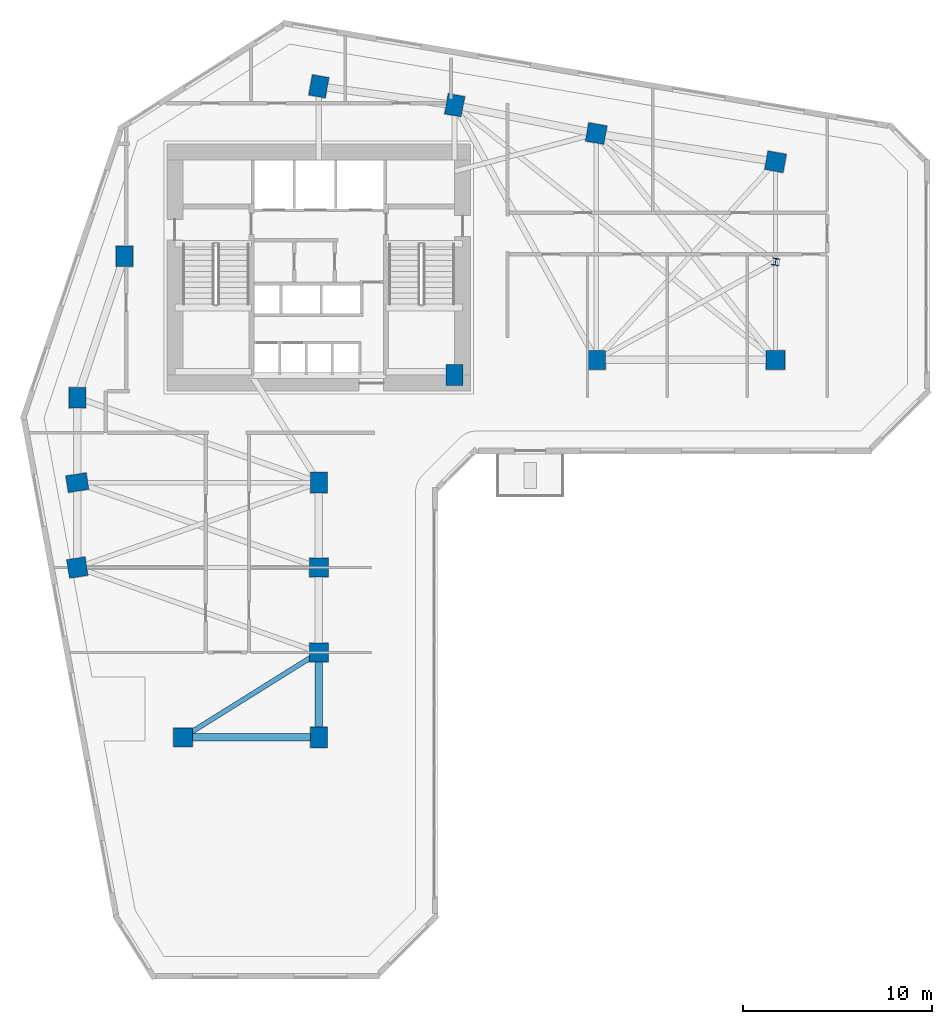
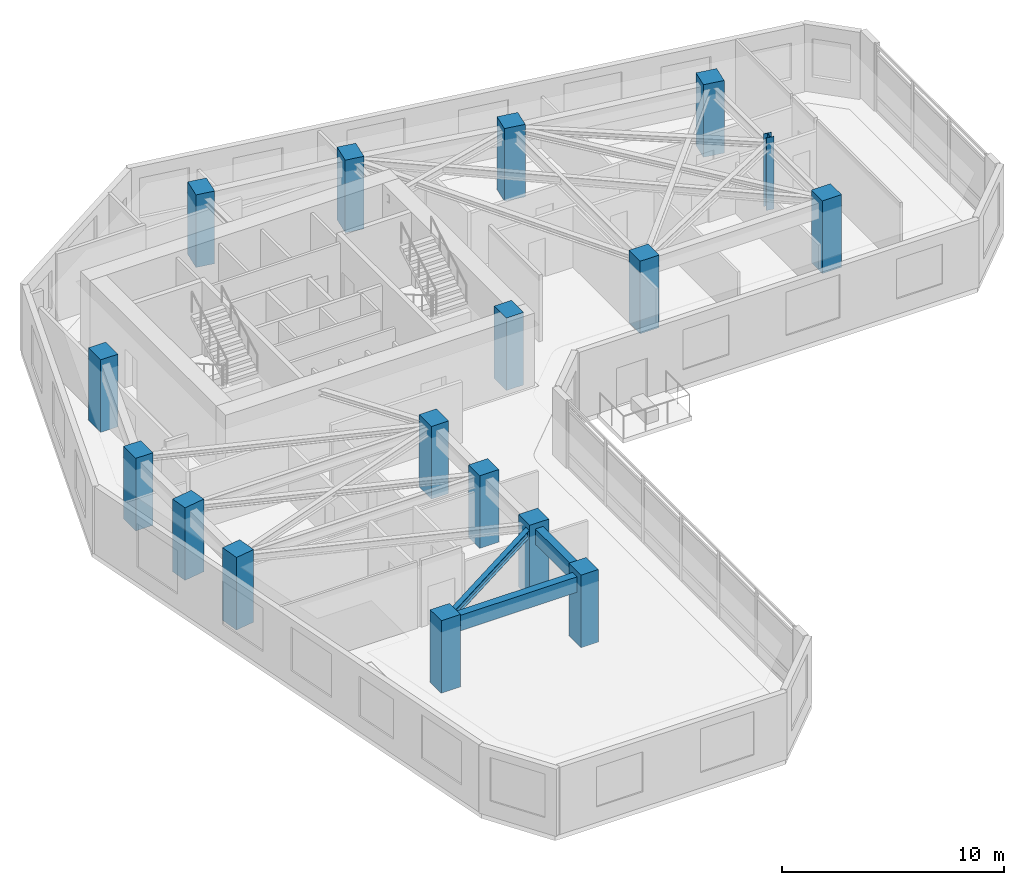
# One storey, part 1 of 10: 17 columns, 3 beams.
"""IFC4 building model written with IfcOpenShell, lengths in metres."""

import ifcopenshell
import ifcopenshell.guid

model = None  # the IFC model being written
_history = None  # IfcOwnerHistory: only IFC2X3 demands one
_inside = {}  # id of a spatial element -> (the spatial element, [elements in it])
_under = {}  # id of a project, library or spatial element -> (it, [spatial elements below it])
_declared = {}  # id of a project -> (the project, [libraries it declares])
_typed = {}  # id of a type object -> (the type object, [elements of that type])
_made_of = {}  # id of a material, layer set ... -> (it, [elements and type objects made of it])


def new_model(schema):
    """Start an empty IFC model of exactly this schema.

    Asked for "IFC4X3", IfcOpenShell would pick the latest addendum, in which some entities
    have other attributes; the version numbers below select the first issue.
    IFC2X3 requires an IfcOwnerHistory on every rooted entity: one is made here for all.
    """
    global model, _history
    if schema == "IFC4X3":
        model = ifcopenshell.file(schema_version=(4, 3, 0, 0))
    else:
        model = ifcopenshell.file(schema=schema)
    _inside.clear()
    _under.clear()
    _declared.clear()
    _typed.clear()
    _made_of.clear()
    _history = None
    if model.schema == "IFC2X3":
        org = make("IfcOrganization", Name="unknown")
        user = make(
            "IfcPersonAndOrganization",
            ThePerson=make("IfcPerson", FamilyName="unknown"),
            TheOrganization=org,
        )
        app = make(
            "IfcApplication",
            ApplicationDeveloper=org,
            Version="unknown",
            ApplicationFullName="unknown",
            ApplicationIdentifier="unknown",
        )
        _history = make(
            "IfcOwnerHistory",
            OwningUser=user,
            OwningApplication=app,
            ChangeAction="ADDED",
            CreationDate=0,
        )
    return model


def make(cls, **values):
    """One entity of the class cls with the attributes given. An attribute that is None is left unset."""
    return model.create_entity(
        cls, **{name: value for name, value in values.items() if value is not None}
    )


def rooted(cls, **values):
    """An entity with a GlobalId (a new one), such as an element, a storey or a relation."""
    return make(cls, GlobalId=ifcopenshell.guid.new(), OwnerHistory=_history, **values)


def si_unit(unit_type, name, prefix=None):
    """IfcSIUnit, for example si_unit("LENGTHUNIT", "METRE", prefix="MILLI")."""
    return make("IfcSIUnit", UnitType=unit_type, Prefix=prefix, Name=name)


def assignment(units):
    """IfcUnitAssignment: the units of a project."""
    return None if units is None else make("IfcUnitAssignment", Units=units)


def point(xyz):
    """IfcCartesianPoint."""
    return None if xyz is None else make("IfcCartesianPoint", Coordinates=xyz)


def direction(xyz):
    """IfcDirection."""
    return None if xyz is None else make("IfcDirection", DirectionRatios=xyz)


def frame(location, z_axis=None, x_axis=None):
    """IfcAxis2Placement3D, a coordinate frame: its origin and axes. An axis left out is left unset."""
    return make(
        "IfcAxis2Placement3D",
        Location=point(location),
        Axis=direction(z_axis),
        RefDirection=direction(x_axis),
    )


def frame_2d(location, x_axis=None):
    """IfcAxis2Placement2D, a coordinate frame in the plane: its origin and x axis."""
    return make(
        "IfcAxis2Placement2D", Location=point(location), RefDirection=direction(x_axis)
    )


def origin():
    """The frame at (0, 0, 0) with its axes left unset."""
    return frame((0.0, 0.0, 0.0))


def origin_2d():
    """The frame at (0, 0) in the plane with its x axis left unset."""
    return frame_2d((0.0, 0.0))


def place(relative_to, where):
    """IfcLocalPlacement: puts the frame where relative to a parent placement (None: the world)."""
    return make(
        "IfcLocalPlacement", PlacementRelTo=relative_to, RelativePlacement=where
    )


def context(
    kind, dimensions, precision=None, world=None, true_north=None, identifier=None
):
    """IfcGeometricRepresentationContext, for example the 3D "Model" context."""
    return make(
        "IfcGeometricRepresentationContext",
        ContextIdentifier=identifier,
        ContextType=kind,
        CoordinateSpaceDimension=dimensions,
        Precision=precision,
        WorldCoordinateSystem=world,
        TrueNorth=true_north,
    )


def subcontext(parent, identifier, kind, view, scale=None):
    """IfcGeometricRepresentationSubContext, for example "Body" below "Model"."""
    return make(
        "IfcGeometricRepresentationSubContext",
        ContextIdentifier=identifier,
        ContextType=kind,
        ParentContext=parent,
        TargetScale=scale,
        TargetView=view,
    )


def project(units=None, contexts=None):
    """IfcProject with its units and contexts."""
    return rooted(
        "IfcProject",
        Name="project",
        RepresentationContexts=contexts,
        UnitsInContext=assignment(units),
    )


def spatial(cls, under=None, at=None, **own):
    """A site, building, storey or space (cls), placed at a placement, below another one or the project."""
    s = rooted(cls, ObjectPlacement=at, **own)
    if under is not None:
        _under.setdefault(under.id(), (under, []))[1].append(s)
    return s


def profile(cls, at=None, kind="AREA", **sizes):
    """A parametric profile (cls). Its sizes go by their IFC names, for example OverallWidth=200.0."""
    return make(cls, ProfileType=kind, Position=at, **sizes)


def rectangle(**sizes):
    """IfcRectangleProfileDef."""
    return profile("IfcRectangleProfileDef", **sizes)


def i_section(**sizes):
    """IfcIShapeProfileDef."""
    return profile("IfcIShapeProfileDef", **sizes)


def extrude(swept, where, along, depth):
    """IfcExtrudedAreaSolid: the profile swept, set in the frame where, extruded along a direction by depth."""
    return make(
        "IfcExtrudedAreaSolid",
        SweptArea=swept,
        Position=where,
        ExtrudedDirection=direction(along),
        Depth=depth,
    )


def shape(context_of_items, identifier, shape_type, items):
    """IfcShapeRepresentation: the items that make up one representation, for example the "Body"."""
    return make(
        "IfcShapeRepresentation",
        ContextOfItems=context_of_items,
        RepresentationIdentifier=identifier,
        RepresentationType=shape_type,
        Items=items,
    )


def source(mapping_origin, context_of_items, identifier, shape_type, items):
    """IfcRepresentationMap: a shape defined once, which mapped items show again and again."""
    return make(
        "IfcRepresentationMap",
        MappingOrigin=mapping_origin,
        MappedRepresentation=shape(context_of_items, identifier, shape_type, items),
    )


def transform(
    local_origin,
    x_axis=None,
    y_axis=None,
    z_axis=None,
    scale=None,
    scale2=None,
    scale3=None,
    uniform=True,
):
    """IfcCartesianTransformationOperator3D, or its non-uniform kind. x_axis, y_axis, z_axis: its Axis1, 2, 3."""
    if uniform:
        return make(
            "IfcCartesianTransformationOperator3D",
            Axis1=direction(x_axis),
            Axis2=direction(y_axis),
            LocalOrigin=point(local_origin),
            Scale=scale,
            Axis3=direction(z_axis),
        )
    return make(
        "IfcCartesianTransformationOperator3DnonUniform",
        Axis1=direction(x_axis),
        Axis2=direction(y_axis),
        LocalOrigin=point(local_origin),
        Scale=scale,
        Axis3=direction(z_axis),
        Scale2=scale2,
        Scale3=scale3,
    )


def mapped(mapping_source, mapping_target):
    """IfcMappedItem: shows the shape of a source again, moved by a transform."""
    return make(
        "IfcMappedItem", MappingSource=mapping_source, MappingTarget=mapping_target
    )


def material(Name=None, Category=None):
    """IfcMaterial."""
    return make("IfcMaterial", Name=Name, Category=Category)


def material_profile(
    of_material, cross_section, Name=None, Category=None, Priority=None
):
    """IfcMaterialProfile: a cross section and its material."""
    return make(
        "IfcMaterialProfile",
        Name=Name,
        Material=of_material,
        Profile=cross_section,
        Priority=Priority,
        Category=Category,
    )


def profile_set(profiles, Name=None, composite=None):
    """IfcMaterialProfileSet."""
    return make(
        "IfcMaterialProfileSet",
        Name=Name,
        MaterialProfiles=profiles,
        CompositeProfile=composite,
    )


def made_of(thing, what):
    """Note that an element or type object is made of a material, layer set ...; save() writes the relation."""
    if what is not None:
        _made_of.setdefault(what.id(), (what, []))[1].append(thing)
    return thing


def type_object(cls, material=None, **own):
    """A type object (cls), such as IfcWallType, which elements share."""
    return made_of(rooted(cls, **own), material)


def element(
    cls,
    number,
    at=None,
    inside=None,
    cuts=None,
    type_object=None,
    material=None,
    context=None,
    identifier="Body",
    shape_type=None,
    held_by="IfcProductDefinitionShape",
    body=None,
    shapes=None,
    **own,
):
    """One element of the class cls, such as IfcWall. Its Tag is "e" and its number.

    at: its placement. inside: the storey or other place that contains it. cuts: it is an
    opening in that element (IfcRelVoidsElement). A single representation is given by context,
    identifier, shape_type and body (its items); several are given by shapes. held_by: the class
    of the entity that holds the representations. save() writes the other relations.
    """
    e = rooted(cls, Tag="e%d" % number, ObjectPlacement=at, **own)
    if body is not None:
        shapes = [shape(context, identifier, shape_type, body)]
    if shapes is not None:
        e.Representation = make(held_by, Representations=shapes)
    if inside is not None:
        _inside.setdefault(inside.id(), (inside, []))[1].append(e)
    if cuts is not None:
        rooted(
            "IfcRelVoidsElement", RelatingBuildingElement=cuts, RelatedOpeningElement=e
        )
    if type_object is not None:
        _typed.setdefault(type_object.id(), (type_object, []))[1].append(e)
    return made_of(e, material)


def aggregate(whole, parts):
    """IfcRelAggregates: a whole, such as a stair, and the parts it consists of."""
    return rooted("IfcRelAggregates", RelatingObject=whole, RelatedObjects=parts)


def save(model, path):
    """Write the relations noted so far, then the file.

    IfcRelAggregates (storeys below a building ...), IfcRelContainedInSpatialStructure (elements
    in a storey), IfcRelDefinesByType, IfcRelAssociatesMaterial and IfcRelDeclares: one each for
    every whole, place, type object, material and project.
    """
    for whole, parts in _under.values():
        aggregate(whole, parts)
    for where, things in _inside.values():
        rooted(
            "IfcRelContainedInSpatialStructure",
            RelatedElements=things,
            RelatingStructure=where,
        )
    for kind, things in _typed.values():
        rooted("IfcRelDefinesByType", RelatedObjects=things, RelatingType=kind)
    for what, things in _made_of.values():
        rooted("IfcRelAssociatesMaterial", RelatedObjects=things, RelatingMaterial=what)
    for by, libraries in _declared.values():
        rooted("IfcRelDeclares", RelatingContext=by, RelatedDefinitions=libraries)
    model.write(path)


model = new_model("IFC4")

# Units and contexts
model_context = context("Model", 3, precision=1e-05, world=origin(), true_north=direction((0.0, 1.0)))
body_context = subcontext(model_context, "Body", "Model", "MODEL_VIEW")
ifc_project = project(units=[si_unit("LENGTHUNIT", "METRE"), si_unit("AREAUNIT", "SQUARE_METRE"), si_unit("VOLUMEUNIT", "CUBIC_METRE"), si_unit("PLANEANGLEUNIT", "RADIAN"), si_unit("MASSUNIT", "GRAM", prefix="KILO")], contexts=[model_context])

# Site, building, storey
site_placement = place(None, origin())
site = spatial("IfcSite", under=ifc_project, at=site_placement, CompositionType="ELEMENT")
building_placement = place(site_placement, origin())
building = spatial("IfcBuilding", under=site, at=building_placement, Name="Calvemar Wedge Station Tower", CompositionType="ELEMENT")
storey_placement = place(building_placement, frame((0.0, 0.0, 95.0)))
storey = spatial("IfcBuildingStorey", under=building, at=storey_placement, Name="L23", CompositionType="ELEMENT", Elevation=95.0)

# Columns
ifc_material_1 = material(Name="Concrete C70", Category="concrete")
ifc_material_profile_1 = material_profile(ifc_material_1, rectangle(XDim=0.89990234375, YDim=1.10009765625, at=origin_2d()), Name="RC1100x900")
ifc_profile_set_1 = profile_set([ifc_material_profile_1], Name="Concrete C70")
column_type_1 = type_object("IfcColumnType", Name="COL-C3-1100x900", PredefinedType="COLUMN", material=ifc_profile_set_1)
shared_shape_1 = source(origin(), body_context, "Body", "SweptSolid", [
    extrude(rectangle(XDim=0.89990234375, YDim=1.10009765625, at=origin_2d()), origin(), (0.0, 0.0, 1.0), 4.0),
])
for number, where, z_axis, x_axis, name in (
    (1, (11.0, 33.0, 0.0), (0.0, 0.0, 1.0), (1.0, 0.0, 0.0), "Storey L23 Column T-NW1"),
    (2, (13.5, 40.5, 0.0), (0.0, 0.0, 1.0), (1.0, 0.0, 0.0), "Storey L23 Column T-NW2"),
    (3, (23.800048828125, 49.5, 0.0), (0.0, 0.0, 1.0), (0.984195607969, -0.17708474032, 0.0), "Storey L23 Column T-N1"),
    (4, (31.0, 48.5, 0.0), (0.0, 0.0, 1.0), (0.984195607969, -0.17708474032, 0.0), "Storey L23 Column T-N2"),
    (5, (31.0, 34.199951171875, 0.0), (0.0, 0.0, 1.0), (1.0, 0.0, 0.0), "Storey L23 Column T-NL1"),
    (6, (11.0, 28.5, 0.0), (0.0, 0.0, 1.0), (0.158158067254, -0.987413806751, 0.0), "Storey L23 Column T-SW1"),
    (7, (23.800048828125, 28.5, 0.0), (0.0, 0.0, 1.0), (1.0, 0.0, 0.0), "Storey L23 Column T-SE1"),
    (8, (23.800048828125, 15.0, 0.0), (0.0, 0.0, 1.0), (1.0, 0.0, 0.0), "Storey L23 Column T-SE4"),
):
    element("IfcColumn", number, at=place(storey_placement, frame(where, z_axis=z_axis, x_axis=x_axis)), inside=storey, type_object=column_type_1, Name=name, PredefinedType="COLUMN", context=body_context, shape_type="MappedRepresentation", body=[
        mapped(shared_shape_1, transform((0.0, 0.0, 0.0), scale=1.0)),
    ])
ifc_material_2 = material(Name="Concrete C60", Category="concrete")
ifc_material_profile_2 = material_profile(ifc_material_2, rectangle(XDim=1.0, YDim=1.0, at=origin_2d()), Name="RC1000x1000")
ifc_profile_set_2 = profile_set([ifc_material_profile_2], Name="Concrete C60")
column_type_2 = type_object("IfcColumnType", Name="COL-C4-1000", PredefinedType="COLUMN", material=ifc_profile_set_2)
shared_shape_2 = source(origin(), body_context, "Body", "SweptSolid", [
    extrude(rectangle(XDim=1.0, YDim=1.0, at=origin_2d()), origin(), (0.0, 0.0, 1.0), 4.0),
])
for number, where, z_axis, x_axis, name in (
    (9, (38.5, 47.0, 0.0), (0.0, 0.0, 1.0), (0.984195607969, -0.17708474032, 0.0), "Storey L23 Column T-NU3"),
    (10, (48.0, 45.5, 0.0), (0.0, 0.0, 1.0), (0.984195607969, -0.17708474032, 0.0), "Storey L23 Column T-NU4"),
    (11, (38.5, 35.0, 0.0), (0.0, 0.0, 1.0), (1.0, 0.0, 0.0), "Storey L23 Column T-NL2"),
    (12, (48.0, 35.0, 0.0), (0.0, 0.0, 1.0), (1.0, 0.0, 0.0), "Storey L23 Column T-NL3"),
    (13, (11.0, 24.0, 0.0), (0.0, 0.0, 1.0), (0.158158067254, -0.987413806751, 0.0), "Storey L23 Column T-SW2"),
    (14, (23.800048828125, 24.0, 0.0), (0.0, 0.0, 1.0), (1.0, 0.0, 0.0), "Storey L23 Column T-SE2"),
    (15, (23.800048828125, 19.5, 0.0), (0.0, 0.0, 1.0), (1.0, 0.0, 0.0), "Storey L23 Column T-SE3"),
    (16, (16.60009765625, 15.0, 0.0), (0.0, 0.0, 1.0), (1.0, 0.0, 0.0), "Storey L23 Column T-SM1"),
):
    element("IfcColumn", number, at=place(storey_placement, frame(where, z_axis=z_axis, x_axis=x_axis)), inside=storey, type_object=column_type_2, Name=name, PredefinedType="COLUMN", context=body_context, shape_type="MappedRepresentation", body=[
        mapped(shared_shape_2, transform((0.0, 0.0, 0.0), scale=1.0)),
    ])
ifc_material_3 = material(Name="Structural steel ASTM A572 Grade 50", Category="steel")
ifc_material_profile_3 = material_profile(ifc_material_3, i_section(OverallWidth=0.3740234375, OverallDepth=0.3720703125, WebThickness=0.016357421875, FlangeThickness=0.026123046875, FilletRadius=0.014892578125, at=origin_2d()), Name="W360x196")
ifc_profile_set_3 = profile_set([ifc_material_profile_3], Name="Structural steel ASTM A572 Grade 50")
column_type_3 = type_object("IfcColumnType", Name="COL-STL-W360", PredefinedType="COLUMN", material=ifc_profile_set_3)
shared_shape_3 = source(origin(), body_context, "Body", "SweptSolid", [
    extrude(i_section(OverallWidth=0.3740234375, OverallDepth=0.3720703125, WebThickness=0.016357421875, FlangeThickness=0.026123046875, FilletRadius=0.014892578125, at=origin_2d()), origin(), (0.0, 0.0, 1.0), 4.0),
])
column_placement = place(storey_placement, frame((48.0, 40.199951171875, 0.0), z_axis=(0.0, 0.0, 1.0), x_axis=(0.984195607969, -0.17708474032, 0.0)))
element("IfcColumn", 17, at=column_placement, inside=storey, type_object=column_type_3, Name="Storey L23 Column T-NTIP-A", PredefinedType="COLUMN", context=body_context, shape_type="MappedRepresentation", body=[
    mapped(shared_shape_3, transform((0.0, 0.0, 0.0), scale=1.0)),
])

# Beams
ifc_material_profile_4 = material_profile(ifc_material_2, rectangle(XDim=0.39990234375, YDim=0.85009765625, at=origin_2d()), Name="RC400x850")
ifc_profile_set_4 = profile_set([ifc_material_profile_4], Name="Concrete C60")
beam_type_1 = type_object("IfcBeamType", Name="BM-SP1-850", PredefinedType="SPANDREL", material=ifc_profile_set_4)
shared_shape_4 = source(origin(), body_context, "Body", "SweptSolid", [
    extrude(rectangle(XDim=0.39990234375, YDim=0.85009765625, at=origin_2d()), origin(), (0.0, 0.0, 1.0), 4.5),
])
beam_1_placement = place(storey_placement, frame((23.800048828125, 19.5, 3.27490234375), z_axis=(0.0, -1.0, 0.0), x_axis=(1.0, 0.0, 0.0)))
element("IfcBeam", 18, at=beam_1_placement, inside=storey, type_object=beam_type_1, Name="Storey L23 Spandrel T-SE3-T-SE4", PredefinedType="SPANDREL", context=body_context, shape_type="MappedRepresentation", body=[
    mapped(shared_shape_4, transform((0.0, 0.0, 0.0), scale=1.0)),
])
shared_shape_5 = source(origin(), body_context, "Body", "SweptSolid", [
    extrude(rectangle(XDim=0.39990234375, YDim=0.85009765625, at=origin_2d()), origin(), (0.0, 0.0, 1.0), 7.199951171875),
])
beam_2_placement = place(storey_placement, frame((16.60009765625, 15.0, 3.27490234375), z_axis=(1.0, 0.0, 0.0), x_axis=(0.0, 1.0, 0.0)))
element("IfcBeam", 19, at=beam_2_placement, inside=storey, type_object=beam_type_1, Name="Storey L23 Spandrel T-SM1-T-SE4", PredefinedType="SPANDREL", context=body_context, shape_type="MappedRepresentation", body=[
    mapped(shared_shape_5, transform((0.0, 0.0, 0.0), scale=1.0)),
])
ifc_material_profile_5 = material_profile(ifc_material_3, i_section(OverallWidth=0.260986328125, OverallDepth=0.419921875, WebThickness=0.01171875, FlangeThickness=0.019287109375, FilletRadius=0.012939453125, at=origin_2d()), Name="W410x114")
ifc_profile_set_5 = profile_set([ifc_material_profile_5], Name="Structural steel ASTM A572 Grade 50")
beam_type_2 = type_object("IfcBeamType", Name="BM-J2-W410H", PredefinedType="JOIST", material=ifc_profile_set_5)
shared_shape_6 = source(origin(), body_context, "Body", "SweptSolid", [
    extrude(i_section(OverallWidth=0.260986328125, OverallDepth=0.419921875, WebThickness=0.01171875, FlangeThickness=0.019287109375, FilletRadius=0.012939453125, at=origin_2d()), origin(), (0.0, 0.0, 1.0), 8.490478515625),
])
beam_3_placement = place(storey_placement, frame((23.800048828125, 19.5, 3.489990234375), z_axis=(-0.847996688584, -0.530001524668, 0.0), x_axis=(0.530001524668, -0.847996688584, 0.0)))
element("IfcBeam", 20, at=beam_3_placement, inside=storey, type_object=beam_type_2, Name="Storey L23 Floor Beam T-SE3-T-SM1", PredefinedType="JOIST", context=body_context, shape_type="MappedRepresentation", body=[
    mapped(shared_shape_6, transform((0.0, 0.0, 0.0), scale=1.0)),
])

save(model, "model.ifc")
